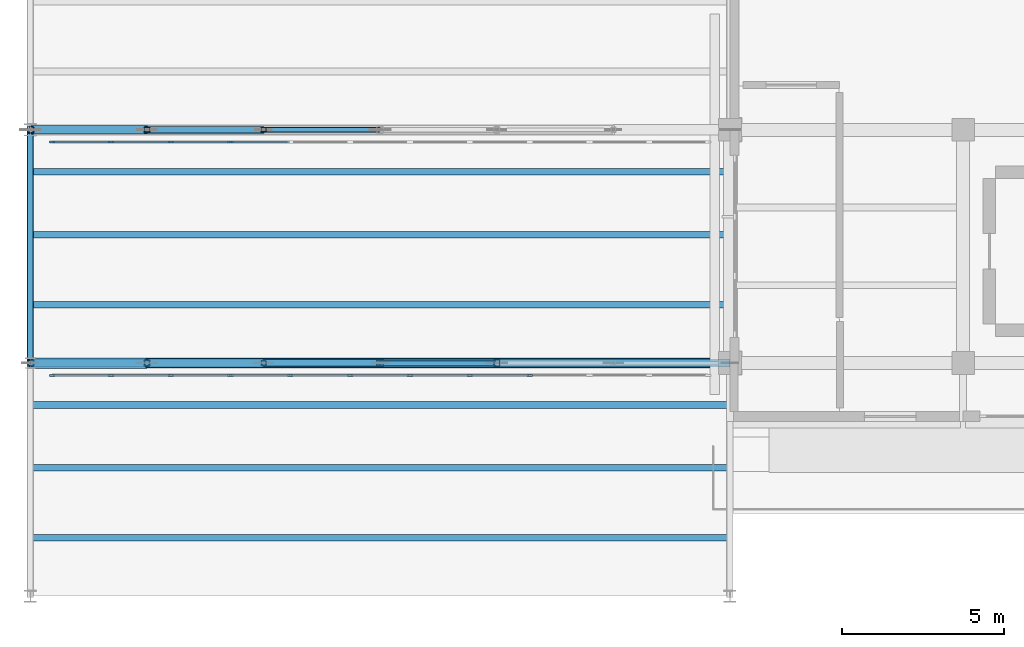
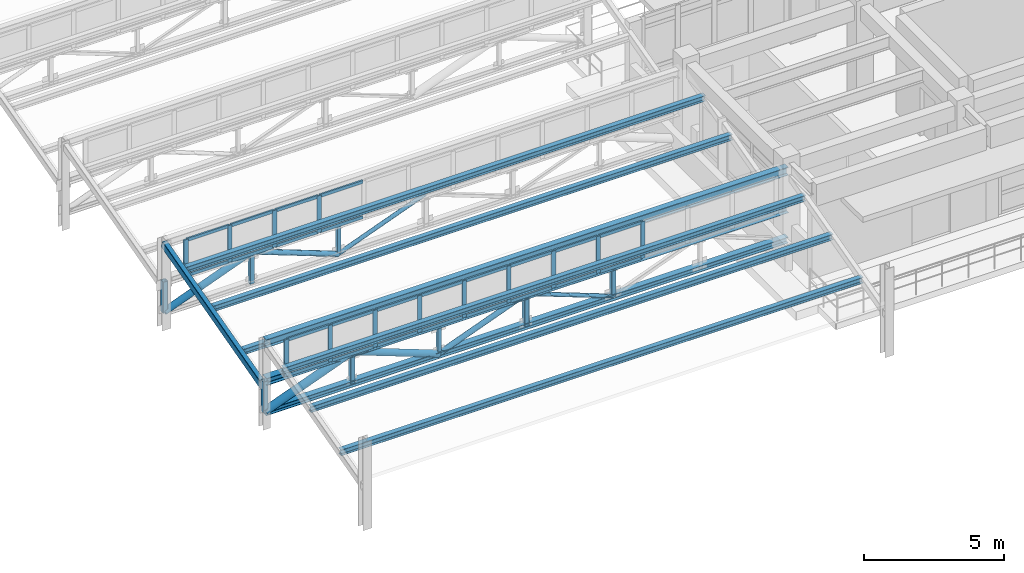
# One storey, part 5 of 55: 54 members, 8 beams, 2 elements without a shape of their own.
"""IFC4 building model written with IfcOpenShell, lengths in metres."""

from ifc_helpers import new_model, si_unit, direction, frame, origin, origin_2d, place, context, subcontext, project, spatial, rectangle, hollow_rectangle, hollow_circle, i_section, extrude, material, layer, layer_set, material_profile, profile_set, type_object, element, aggregate, save


model = new_model("IFC4")

# Units and contexts
model_context = context("Model", 3, precision=1e-05, world=origin(), true_north=direction((0.0, 1.0)))
body_context = subcontext(model_context, "Body", "Model", "MODEL_VIEW")
ifc_project = project(units=[si_unit("LENGTHUNIT", "METRE"), si_unit("AREAUNIT", "SQUARE_METRE"), si_unit("VOLUMEUNIT", "CUBIC_METRE"), si_unit("PLANEANGLEUNIT", "RADIAN"), si_unit("MASSUNIT", "GRAM", prefix="KILO")], contexts=[model_context])

# Site, building, storey
site_placement = place(None, origin())
site = spatial("IfcSite", under=ifc_project, at=site_placement, CompositionType="ELEMENT")
building_placement = place(site_placement, origin())
building = spatial("IfcBuilding", under=site, at=building_placement, Name="Solenvale Faculty of Natural Sciences", CompositionType="ELEMENT")
storey_placement = place(building_placement, frame((0.0, 0.0, 22.5)))
storey = spatial("IfcBuildingStorey", under=building, at=storey_placement, Name="L05", CompositionType="ELEMENT", Elevation=22.5)

# Beams
ifc_material_1 = material(Name="Steel S355", Category="steel")
ifc_material_profile_1 = material_profile(ifc_material_1, i_section(OverallWidth=0.202880859375, OverallDepth=0.251953125, WebThickness=0.008056640625, FlangeThickness=0.013427734375, FilletRadius=0.012939453125, at=origin_2d()), Name="W250x58")
ifc_profile_set_1 = profile_set([ifc_material_profile_1], Name="Steel S355")
beam_type_1 = type_object("IfcBeamType", Name="BM-PRL-W250x58", PredefinedType="JOIST", material=ifc_profile_set_1)
for number, where, z_axis, x_axis, name in (
    (1, (36.0, 16.199951171875, 2.19482421875), (1.0, 0.0, 0.0), (0.0, 1.0, 0.0), "V3 Sawtooth Purlin 1.1.1"),
    (2, (36.0, 18.360107421875, 2.773681640625), (1.0, 0.0, 0.0), (0.0, 1.0, 0.0), "V3 Sawtooth Purlin 1.1.2"),
    (3, (36.0, 20.303955078125, 3.294921875), (1.0, 0.0, 0.0), (0.0, 1.0, 0.0), "V3 Sawtooth Purlin 1.1.3"),
    (4, (36.0, 23.39990234375, 2.19482421875), (1.0, 0.0, 0.0), (0.0, 1.0, 0.0), "V3 Sawtooth Purlin 2.1.1"),
    (5, (36.0, 25.56005859375, 2.773681640625), (1.0, 0.0, 0.0), (0.0, 1.0, 0.0), "V3 Sawtooth Purlin 2.1.2"),
    (6, (36.0, 27.50390625, 3.294921875), (1.0, 0.0, 0.0), (0.0, 1.0, 0.0), "V3 Sawtooth Purlin 2.1.3"),
):
    element("IfcBeam", number, at=place(storey_placement, frame(where, z_axis=z_axis, x_axis=x_axis)), inside=storey, type_object=beam_type_1, Name=name, PredefinedType="JOIST", context=body_context, shape_type="SweptSolid", body=[
        extrude(i_section(OverallWidth=0.202880859375, OverallDepth=0.251953125, WebThickness=0.008056640625, FlangeThickness=0.013427734375, FilletRadius=0.012939453125, at=origin_2d()), origin(), (0.0, 0.0, 1.0), 21.60009765625),
    ])
ifc_material_profile_2 = material_profile(ifc_material_1, hollow_rectangle(XDim=0.202880859375, YDim=0.304931640625, WallThickness=0.0126953125, InnerFilletRadius=0.0126953125, OuterFilletRadius=0.025390625, at=origin_2d()), Name="HSS305x203x13")
ifc_profile_set_2 = profile_set([ifc_material_profile_2], Name="Steel S355")
beam_type_2 = type_object("IfcBeamType", Name="BM-RAF-HSS305", PredefinedType="BEAM", material=ifc_profile_set_2)
beam_1_placement = place(storey_placement, frame((36.0, 21.60009765625, 1.719970703125), z_axis=(0.0, 0.965901991803, 0.258907980238), x_axis=(-1.0, 0.0, 0.0)))
element("IfcBeam", 7, at=beam_1_placement, inside=storey, type_object=beam_type_2, Name="V3 Sawtooth End Rafter 2.1.W", PredefinedType="BEAM", context=body_context, shape_type="SweptSolid", body=[
    extrude(hollow_rectangle(XDim=0.202880859375, YDim=0.304931640625, WallThickness=0.0126953125, InnerFilletRadius=0.0126953125, OuterFilletRadius=0.025390625, at=origin_2d()), origin(), (0.0, 0.0, 1.0), 7.4541015625),
])
ifc_material_profile_3 = material_profile(ifc_material_1, i_section(OverallWidth=0.2548828125, OverallDepth=0.35693359375, WebThickness=0.010498046875, FlangeThickness=0.018310546875, FilletRadius=0.014892578125, at=origin_2d()), Name="W360x101")
ifc_profile_set_3 = profile_set([ifc_material_profile_3], Name="Steel S355")
beam_type_3 = type_object("IfcBeamType", Name="BM-STL-W360x101", PredefinedType="JOIST", material=ifc_profile_set_3)
beam_2_placement = place(storey_placement, frame((36.0, 21.60009765625, 3.705078125), z_axis=(1.0, 0.0, 0.0), x_axis=(0.0, 1.0, 0.0)))
element("IfcBeam", 8, at=beam_2_placement, inside=storey, type_object=beam_type_3, Name="V3 Sawtooth Clerestory Ridge Beam 1.1", PredefinedType="JOIST", context=body_context, shape_type="SweptSolid", body=[
    extrude(i_section(OverallWidth=0.2548828125, OverallDepth=0.35693359375, WebThickness=0.010498046875, FlangeThickness=0.018310546875, FilletRadius=0.014892578125, at=origin_2d()), origin(), (0.0, 0.0, 1.0), 21.60009765625),
])

# Curtain wall, members
ifc_material_2 = material(Name="Anodised bronze aluminium", Category="aluminium")
ifc_layer = layer(ifc_material_2, 0.1650390625)
ifc_layer_set = layer_set([ifc_layer], Name="Anodised bronze aluminium")
curtain_wall_type = type_object("IfcCurtainWallType", Name="CW-SAW-CLR", PredefinedType="USERDEFINED", material=ifc_layer_set)
curtain_wall_1_placement = place(storey_placement, origin())
curtain_wall_1 = element("IfcCurtainWall", 9, at=curtain_wall_1_placement, inside=storey, type_object=curtain_wall_type, Name="L05 Curtain Wall SAW-V3-CW-1-1", ObjectType="NORTH LIGHT CLERESTORY", PredefinedType="USERDEFINED")
ifc_material_profile_4 = material_profile(ifc_material_2, rectangle(XDim=0.06494140625, YDim=0.175048828125, at=origin_2d()), Name="ALU-MUL-65x175")
ifc_profile_set_4 = profile_set([ifc_material_profile_4], Name="Anodised bronze aluminium")
member_type_1 = type_object("IfcMemberType", Name="CWM-ALU-65x175", PredefinedType="MULLION", material=ifc_profile_set_4)
member_1_placement = place(storey_placement, frame((51.418212890625, 21.219970703125, 2.22998046875), z_axis=(0.0, 0.0, 1.0), x_axis=(0.0, -1.0, 0.0)))
member_1 = element("IfcMember", 10, at=member_1_placement, type_object=member_type_1, Name="CW-05 mullion 4", PredefinedType="MULLION", context=body_context, shape_type="SweptSolid", body=[
    extrude(rectangle(XDim=0.06494140625, YDim=0.175048828125, at=origin_2d()), origin(), (0.0, 0.0, 1.0), 1.610107421875),
])
member_2_placement = place(storey_placement, frame((49.57080078125, 21.219970703125, 2.22998046875), z_axis=(0.0, 0.0, 1.0), x_axis=(0.0, -1.0, 0.0)))
member_2 = element("IfcMember", 11, at=member_2_placement, type_object=member_type_1, Name="CW-05 mullion 5", PredefinedType="MULLION", context=body_context, shape_type="SweptSolid", body=[
    extrude(rectangle(XDim=0.06494140625, YDim=0.175048828125, at=origin_2d()), origin(), (0.0, 0.0, 1.0), 1.610107421875),
])
member_3_placement = place(storey_placement, frame((47.7236328125, 21.219970703125, 2.22998046875), z_axis=(0.0, 0.0, 1.0), x_axis=(0.0, -1.0, 0.0)))
member_3 = element("IfcMember", 12, at=member_3_placement, type_object=member_type_1, Name="CW-05 mullion 6", PredefinedType="MULLION", context=body_context, shape_type="SweptSolid", body=[
    extrude(rectangle(XDim=0.06494140625, YDim=0.175048828125, at=origin_2d()), origin(), (0.0, 0.0, 1.0), 1.610107421875),
])
member_4_placement = place(storey_placement, frame((45.87646484375, 21.219970703125, 2.22998046875), z_axis=(0.0, 0.0, 1.0), x_axis=(0.0, -1.0, 0.0)))
member_4 = element("IfcMember", 13, at=member_4_placement, type_object=member_type_1, Name="CW-05 mullion 7", PredefinedType="MULLION", context=body_context, shape_type="SweptSolid", body=[
    extrude(rectangle(XDim=0.06494140625, YDim=0.175048828125, at=origin_2d()), origin(), (0.0, 0.0, 1.0), 1.610107421875),
])
member_5_placement = place(storey_placement, frame((44.029052734375, 21.219970703125, 2.22998046875), z_axis=(0.0, 0.0, 1.0), x_axis=(0.0, -1.0, 0.0)))
member_5 = element("IfcMember", 14, at=member_5_placement, type_object=member_type_1, Name="CW-05 mullion 8", PredefinedType="MULLION", context=body_context, shape_type="SweptSolid", body=[
    extrude(rectangle(XDim=0.06494140625, YDim=0.175048828125, at=origin_2d()), origin(), (0.0, 0.0, 1.0), 1.610107421875),
])
member_6_placement = place(storey_placement, frame((42.181884765625, 21.219970703125, 2.22998046875), z_axis=(0.0, 0.0, 1.0), x_axis=(0.0, -1.0, 0.0)))
member_6 = element("IfcMember", 15, at=member_6_placement, type_object=member_type_1, Name="CW-05 mullion 9", PredefinedType="MULLION", context=body_context, shape_type="SweptSolid", body=[
    extrude(rectangle(XDim=0.06494140625, YDim=0.175048828125, at=origin_2d()), origin(), (0.0, 0.0, 1.0), 1.610107421875),
])
member_7_placement = place(storey_placement, frame((40.33447265625, 21.219970703125, 2.22998046875), z_axis=(0.0, 0.0, 1.0), x_axis=(0.0, -1.0, 0.0)))
member_7 = element("IfcMember", 16, at=member_7_placement, type_object=member_type_1, Name="CW-05 mullion 10", PredefinedType="MULLION", context=body_context, shape_type="SweptSolid", body=[
    extrude(rectangle(XDim=0.06494140625, YDim=0.175048828125, at=origin_2d()), origin(), (0.0, 0.0, 1.0), 1.610107421875),
])
member_8_placement = place(storey_placement, frame((38.4873046875, 21.219970703125, 2.22998046875), z_axis=(0.0, 0.0, 1.0), x_axis=(0.0, -1.0, 0.0)))
member_8 = element("IfcMember", 17, at=member_8_placement, type_object=member_type_1, Name="CW-05 mullion 11", PredefinedType="MULLION", context=body_context, shape_type="SweptSolid", body=[
    extrude(rectangle(XDim=0.06494140625, YDim=0.175048828125, at=origin_2d()), origin(), (0.0, 0.0, 1.0), 1.610107421875),
])
member_9_placement = place(storey_placement, frame((36.672607421875, 21.219970703125, 2.22998046875), z_axis=(0.0, 0.0, 1.0), x_axis=(0.0, -1.0, 0.0)))
member_9 = element("IfcMember", 18, at=member_9_placement, type_object=member_type_1, Name="CW-05 mullion 12", PredefinedType="MULLION", context=body_context, shape_type="SweptSolid", body=[
    extrude(rectangle(XDim=0.06494140625, YDim=0.175048828125, at=origin_2d()), origin(), (0.0, 0.0, 1.0), 1.610107421875),
])

curtain_wall_2_placement = place(storey_placement, origin())
curtain_wall_2 = element("IfcCurtainWall", 19, at=curtain_wall_2_placement, inside=storey, type_object=curtain_wall_type, Name="L05 Curtain Wall SAW-V3-CW-2-1", ObjectType="NORTH LIGHT CLERESTORY", PredefinedType="USERDEFINED")
member_10_placement = place(storey_placement, frame((42.181884765625, 28.419921875, 2.22998046875), z_axis=(0.0, 0.0, 1.0), x_axis=(0.0, -1.0, 0.0)))
member_10 = element("IfcMember", 20, at=member_10_placement, type_object=member_type_1, Name="CW-05 mullion 9", PredefinedType="MULLION", context=body_context, shape_type="SweptSolid", body=[
    extrude(rectangle(XDim=0.06494140625, YDim=0.175048828125, at=origin_2d()), origin(), (0.0, 0.0, 1.0), 1.610107421875),
])
member_11_placement = place(storey_placement, frame((40.33447265625, 28.419921875, 2.22998046875), z_axis=(0.0, 0.0, 1.0), x_axis=(0.0, -1.0, 0.0)))
member_11 = element("IfcMember", 21, at=member_11_placement, type_object=member_type_1, Name="CW-05 mullion 10", PredefinedType="MULLION", context=body_context, shape_type="SweptSolid", body=[
    extrude(rectangle(XDim=0.06494140625, YDim=0.175048828125, at=origin_2d()), origin(), (0.0, 0.0, 1.0), 1.610107421875),
])
member_12_placement = place(storey_placement, frame((38.4873046875, 28.419921875, 2.22998046875), z_axis=(0.0, 0.0, 1.0), x_axis=(0.0, -1.0, 0.0)))
member_12 = element("IfcMember", 22, at=member_12_placement, type_object=member_type_1, Name="CW-05 mullion 11", PredefinedType="MULLION", context=body_context, shape_type="SweptSolid", body=[
    extrude(rectangle(XDim=0.06494140625, YDim=0.175048828125, at=origin_2d()), origin(), (0.0, 0.0, 1.0), 1.610107421875),
])
member_13_placement = place(storey_placement, frame((36.672607421875, 28.419921875, 2.22998046875), z_axis=(0.0, 0.0, 1.0), x_axis=(0.0, -1.0, 0.0)))
member_13 = element("IfcMember", 23, at=member_13_placement, type_object=member_type_1, Name="CW-05 mullion 12", PredefinedType="MULLION", context=body_context, shape_type="SweptSolid", body=[
    extrude(rectangle(XDim=0.06494140625, YDim=0.175048828125, at=origin_2d()), origin(), (0.0, 0.0, 1.0), 1.610107421875),
])

# Member
ifc_material_profile_5 = material_profile(ifc_material_2, rectangle(XDim=0.06494140625, YDim=0.135009765625, at=origin_2d()), Name="ALU-TRN-65x135")
ifc_profile_set_5 = profile_set([ifc_material_profile_5], Name="Anodised bronze aluminium")
member_type_2 = type_object("IfcMemberType", Name="CWT-ALU-65x135", PredefinedType="USERDEFINED", material=ifc_profile_set_5)
member_14_placement = place(storey_placement, frame((51.3857421875, 21.219970703125, 2.262451171875), z_axis=(-1.0, 0.0, 0.0), x_axis=(0.0, -1.0, 0.0)))
member_14 = element("IfcMember", 24, at=member_14_placement, type_object=member_type_2, Name="CW-05 transom 4.1", ObjectType="TRANSOM", PredefinedType="USERDEFINED", context=body_context, shape_type="SweptSolid", body=[
    extrude(rectangle(XDim=0.06494140625, YDim=0.135009765625, at=origin_2d()), origin(), (0.0, 0.0, 1.0), 1.7822265625),
])

member_15_placement = place(storey_placement, frame((51.3857421875, 21.219970703125, 3.8076171875), z_axis=(-1.0, 0.0, 0.0), x_axis=(0.0, -1.0, 0.0)))
member_15 = element("IfcMember", 25, at=member_15_placement, type_object=member_type_2, Name="CW-05 transom 4.2", ObjectType="TRANSOM", PredefinedType="USERDEFINED", context=body_context, shape_type="SweptSolid", body=[
    extrude(rectangle(XDim=0.06494140625, YDim=0.135009765625, at=origin_2d()), origin(), (0.0, 0.0, 1.0), 1.7822265625),
])

member_16_placement = place(storey_placement, frame((49.538330078125, 21.219970703125, 2.262451171875), z_axis=(-1.0, 0.0, 0.0), x_axis=(0.0, -1.0, 0.0)))
member_16 = element("IfcMember", 26, at=member_16_placement, type_object=member_type_2, Name="CW-05 transom 5.1", ObjectType="TRANSOM", PredefinedType="USERDEFINED", context=body_context, shape_type="SweptSolid", body=[
    extrude(rectangle(XDim=0.06494140625, YDim=0.135009765625, at=origin_2d()), origin(), (0.0, 0.0, 1.0), 1.7822265625),
])

member_17_placement = place(storey_placement, frame((49.538330078125, 21.219970703125, 3.8076171875), z_axis=(-1.0, 0.0, 0.0), x_axis=(0.0, -1.0, 0.0)))
member_17 = element("IfcMember", 27, at=member_17_placement, type_object=member_type_2, Name="CW-05 transom 5.2", ObjectType="TRANSOM", PredefinedType="USERDEFINED", context=body_context, shape_type="SweptSolid", body=[
    extrude(rectangle(XDim=0.06494140625, YDim=0.135009765625, at=origin_2d()), origin(), (0.0, 0.0, 1.0), 1.7822265625),
])

member_18_placement = place(storey_placement, frame((47.691162109375, 21.219970703125, 2.262451171875), z_axis=(-1.0, 0.0, 0.0), x_axis=(0.0, -1.0, 0.0)))
member_18 = element("IfcMember", 28, at=member_18_placement, type_object=member_type_2, Name="CW-05 transom 6.1", ObjectType="TRANSOM", PredefinedType="USERDEFINED", context=body_context, shape_type="SweptSolid", body=[
    extrude(rectangle(XDim=0.06494140625, YDim=0.135009765625, at=origin_2d()), origin(), (0.0, 0.0, 1.0), 1.7822265625),
])

member_19_placement = place(storey_placement, frame((47.691162109375, 21.219970703125, 3.8076171875), z_axis=(-1.0, 0.0, 0.0), x_axis=(0.0, -1.0, 0.0)))
member_19 = element("IfcMember", 29, at=member_19_placement, type_object=member_type_2, Name="CW-05 transom 6.2", ObjectType="TRANSOM", PredefinedType="USERDEFINED", context=body_context, shape_type="SweptSolid", body=[
    extrude(rectangle(XDim=0.06494140625, YDim=0.135009765625, at=origin_2d()), origin(), (0.0, 0.0, 1.0), 1.7822265625),
])

member_20_placement = place(storey_placement, frame((45.84375, 21.219970703125, 2.262451171875), z_axis=(-1.0, 0.0, 0.0), x_axis=(0.0, -1.0, 0.0)))
member_20 = element("IfcMember", 30, at=member_20_placement, type_object=member_type_2, Name="CW-05 transom 7.1", ObjectType="TRANSOM", PredefinedType="USERDEFINED", context=body_context, shape_type="SweptSolid", body=[
    extrude(rectangle(XDim=0.06494140625, YDim=0.135009765625, at=origin_2d()), origin(), (0.0, 0.0, 1.0), 1.7822265625),
])

member_21_placement = place(storey_placement, frame((45.84375, 21.219970703125, 3.8076171875), z_axis=(-1.0, 0.0, 0.0), x_axis=(0.0, -1.0, 0.0)))
member_21 = element("IfcMember", 31, at=member_21_placement, type_object=member_type_2, Name="CW-05 transom 7.2", ObjectType="TRANSOM", PredefinedType="USERDEFINED", context=body_context, shape_type="SweptSolid", body=[
    extrude(rectangle(XDim=0.06494140625, YDim=0.135009765625, at=origin_2d()), origin(), (0.0, 0.0, 1.0), 1.7822265625),
])

member_22_placement = place(storey_placement, frame((43.99658203125, 21.219970703125, 2.262451171875), z_axis=(-1.0, 0.0, 0.0), x_axis=(0.0, -1.0, 0.0)))
member_22 = element("IfcMember", 32, at=member_22_placement, type_object=member_type_2, Name="CW-05 transom 8.1", ObjectType="TRANSOM", PredefinedType="USERDEFINED", context=body_context, shape_type="SweptSolid", body=[
    extrude(rectangle(XDim=0.06494140625, YDim=0.135009765625, at=origin_2d()), origin(), (0.0, 0.0, 1.0), 1.7822265625),
])

member_23_placement = place(storey_placement, frame((43.99658203125, 21.219970703125, 3.8076171875), z_axis=(-1.0, 0.0, 0.0), x_axis=(0.0, -1.0, 0.0)))
member_23 = element("IfcMember", 33, at=member_23_placement, type_object=member_type_2, Name="CW-05 transom 8.2", ObjectType="TRANSOM", PredefinedType="USERDEFINED", context=body_context, shape_type="SweptSolid", body=[
    extrude(rectangle(XDim=0.06494140625, YDim=0.135009765625, at=origin_2d()), origin(), (0.0, 0.0, 1.0), 1.7822265625),
])

member_24_placement = place(storey_placement, frame((42.1494140625, 21.219970703125, 2.262451171875), z_axis=(-1.0, 0.0, 0.0), x_axis=(0.0, -1.0, 0.0)))
member_24 = element("IfcMember", 34, at=member_24_placement, type_object=member_type_2, Name="CW-05 transom 9.1", ObjectType="TRANSOM", PredefinedType="USERDEFINED", context=body_context, shape_type="SweptSolid", body=[
    extrude(rectangle(XDim=0.06494140625, YDim=0.135009765625, at=origin_2d()), origin(), (0.0, 0.0, 1.0), 1.782470703125),
])

member_25_placement = place(storey_placement, frame((42.1494140625, 21.219970703125, 3.8076171875), z_axis=(-1.0, 0.0, 0.0), x_axis=(0.0, -1.0, 0.0)))
member_25 = element("IfcMember", 35, at=member_25_placement, type_object=member_type_2, Name="CW-05 transom 9.2", ObjectType="TRANSOM", PredefinedType="USERDEFINED", context=body_context, shape_type="SweptSolid", body=[
    extrude(rectangle(XDim=0.06494140625, YDim=0.135009765625, at=origin_2d()), origin(), (0.0, 0.0, 1.0), 1.782470703125),
])

member_26_placement = place(storey_placement, frame((40.302001953125, 21.219970703125, 2.262451171875), z_axis=(-1.0, 0.0, 0.0), x_axis=(0.0, -1.0, 0.0)))
member_26 = element("IfcMember", 36, at=member_26_placement, type_object=member_type_2, Name="CW-05 transom 10.1", ObjectType="TRANSOM", PredefinedType="USERDEFINED", context=body_context, shape_type="SweptSolid", body=[
    extrude(rectangle(XDim=0.06494140625, YDim=0.135009765625, at=origin_2d()), origin(), (0.0, 0.0, 1.0), 1.7822265625),
])

member_27_placement = place(storey_placement, frame((40.302001953125, 21.219970703125, 3.8076171875), z_axis=(-1.0, 0.0, 0.0), x_axis=(0.0, -1.0, 0.0)))
member_27 = element("IfcMember", 37, at=member_27_placement, type_object=member_type_2, Name="CW-05 transom 10.2", ObjectType="TRANSOM", PredefinedType="USERDEFINED", context=body_context, shape_type="SweptSolid", body=[
    extrude(rectangle(XDim=0.06494140625, YDim=0.135009765625, at=origin_2d()), origin(), (0.0, 0.0, 1.0), 1.7822265625),
])

member_28_placement = place(storey_placement, frame((38.454833984375, 21.219970703125, 2.262451171875), z_axis=(-1.0, 0.0, 0.0), x_axis=(0.0, -1.0, 0.0)))
member_28 = element("IfcMember", 38, at=member_28_placement, type_object=member_type_2, Name="CW-05 transom 11.1", ObjectType="TRANSOM", PredefinedType="USERDEFINED", context=body_context, shape_type="SweptSolid", body=[
    extrude(rectangle(XDim=0.06494140625, YDim=0.135009765625, at=origin_2d()), origin(), (0.0, 0.0, 1.0), 1.749755859375),
])

member_29_placement = place(storey_placement, frame((38.454833984375, 21.219970703125, 3.8076171875), z_axis=(-1.0, 0.0, 0.0), x_axis=(0.0, -1.0, 0.0)))
member_29 = element("IfcMember", 39, at=member_29_placement, type_object=member_type_2, Name="CW-05 transom 11.2", ObjectType="TRANSOM", PredefinedType="USERDEFINED", context=body_context, shape_type="SweptSolid", body=[
    extrude(rectangle(XDim=0.06494140625, YDim=0.135009765625, at=origin_2d()), origin(), (0.0, 0.0, 1.0), 1.749755859375),
])

aggregate(curtain_wall_1, [member_1, member_2, member_3, member_4, member_5, member_6, member_7, member_8, member_9, member_14, member_15, member_16, member_17, member_18, member_19, member_20, member_21, member_22, member_23, member_24, member_25, member_26, member_27, member_28, member_29])

member_30_placement = place(storey_placement, frame((43.99658203125, 28.419921875, 2.262451171875), z_axis=(-1.0, 0.0, 0.0), x_axis=(0.0, -1.0, 0.0)))
member_30 = element("IfcMember", 40, at=member_30_placement, type_object=member_type_2, Name="CW-05 transom 8.1", ObjectType="TRANSOM", PredefinedType="USERDEFINED", context=body_context, shape_type="SweptSolid", body=[
    extrude(rectangle(XDim=0.06494140625, YDim=0.135009765625, at=origin_2d()), origin(), (0.0, 0.0, 1.0), 1.7822265625),
])

member_31_placement = place(storey_placement, frame((43.99658203125, 28.419921875, 3.8076171875), z_axis=(-1.0, 0.0, 0.0), x_axis=(0.0, -1.0, 0.0)))
member_31 = element("IfcMember", 41, at=member_31_placement, type_object=member_type_2, Name="CW-05 transom 8.2", ObjectType="TRANSOM", PredefinedType="USERDEFINED", context=body_context, shape_type="SweptSolid", body=[
    extrude(rectangle(XDim=0.06494140625, YDim=0.135009765625, at=origin_2d()), origin(), (0.0, 0.0, 1.0), 1.7822265625),
])

member_32_placement = place(storey_placement, frame((42.1494140625, 28.419921875, 2.262451171875), z_axis=(-1.0, 0.0, 0.0), x_axis=(0.0, -1.0, 0.0)))
member_32 = element("IfcMember", 42, at=member_32_placement, type_object=member_type_2, Name="CW-05 transom 9.1", ObjectType="TRANSOM", PredefinedType="USERDEFINED", context=body_context, shape_type="SweptSolid", body=[
    extrude(rectangle(XDim=0.06494140625, YDim=0.135009765625, at=origin_2d()), origin(), (0.0, 0.0, 1.0), 1.782470703125),
])

member_33_placement = place(storey_placement, frame((42.1494140625, 28.419921875, 3.8076171875), z_axis=(-1.0, 0.0, 0.0), x_axis=(0.0, -1.0, 0.0)))
member_33 = element("IfcMember", 43, at=member_33_placement, type_object=member_type_2, Name="CW-05 transom 9.2", ObjectType="TRANSOM", PredefinedType="USERDEFINED", context=body_context, shape_type="SweptSolid", body=[
    extrude(rectangle(XDim=0.06494140625, YDim=0.135009765625, at=origin_2d()), origin(), (0.0, 0.0, 1.0), 1.782470703125),
])

member_34_placement = place(storey_placement, frame((40.302001953125, 28.419921875, 2.262451171875), z_axis=(-1.0, 0.0, 0.0), x_axis=(0.0, -1.0, 0.0)))
member_34 = element("IfcMember", 44, at=member_34_placement, type_object=member_type_2, Name="CW-05 transom 10.1", ObjectType="TRANSOM", PredefinedType="USERDEFINED", context=body_context, shape_type="SweptSolid", body=[
    extrude(rectangle(XDim=0.06494140625, YDim=0.135009765625, at=origin_2d()), origin(), (0.0, 0.0, 1.0), 1.7822265625),
])

member_35_placement = place(storey_placement, frame((40.302001953125, 28.419921875, 3.8076171875), z_axis=(-1.0, 0.0, 0.0), x_axis=(0.0, -1.0, 0.0)))
member_35 = element("IfcMember", 45, at=member_35_placement, type_object=member_type_2, Name="CW-05 transom 10.2", ObjectType="TRANSOM", PredefinedType="USERDEFINED", context=body_context, shape_type="SweptSolid", body=[
    extrude(rectangle(XDim=0.06494140625, YDim=0.135009765625, at=origin_2d()), origin(), (0.0, 0.0, 1.0), 1.7822265625),
])

member_36_placement = place(storey_placement, frame((38.454833984375, 28.419921875, 2.262451171875), z_axis=(-1.0, 0.0, 0.0), x_axis=(0.0, -1.0, 0.0)))
member_36 = element("IfcMember", 46, at=member_36_placement, type_object=member_type_2, Name="CW-05 transom 11.1", ObjectType="TRANSOM", PredefinedType="USERDEFINED", context=body_context, shape_type="SweptSolid", body=[
    extrude(rectangle(XDim=0.06494140625, YDim=0.135009765625, at=origin_2d()), origin(), (0.0, 0.0, 1.0), 1.749755859375),
])

member_37_placement = place(storey_placement, frame((38.454833984375, 28.419921875, 3.8076171875), z_axis=(-1.0, 0.0, 0.0), x_axis=(0.0, -1.0, 0.0)))
member_37 = element("IfcMember", 47, at=member_37_placement, type_object=member_type_2, Name="CW-05 transom 11.2", ObjectType="TRANSOM", PredefinedType="USERDEFINED", context=body_context, shape_type="SweptSolid", body=[
    extrude(rectangle(XDim=0.06494140625, YDim=0.135009765625, at=origin_2d()), origin(), (0.0, 0.0, 1.0), 1.749755859375),
])

aggregate(curtain_wall_2, [member_10, member_11, member_12, member_13, member_30, member_31, member_32, member_33, member_34, member_35, member_36, member_37])

# Members
ifc_material_profile_6 = material_profile(ifc_material_1, hollow_circle(Radius=0.084228515625, WallThickness=0.008056640625, at=origin_2d()), Name="HSS168x8.0")
ifc_profile_set_6 = profile_set([ifc_material_profile_6], Name="Steel S355")
member_type_3 = type_object("IfcMemberType", Name="MB-BRC-CHS168", PredefinedType="BRACE", material=ifc_profile_set_6)
member_38_placement = place(storey_placement, frame((46.800048828125, 21.60009765625, 2.050048828125), z_axis=(0.935458110384, 0.0, -0.353437581075), x_axis=(0.0, 1.0, 0.0)))
element("IfcMember", 48, at=member_38_placement, inside=storey, type_object=member_type_3, Name="V3 Truss 1.1 Diagonal 4", PredefinedType="BRACE", context=body_context, shape_type="SweptSolid", body=[
    extrude(hollow_circle(Radius=0.084228515625, WallThickness=0.008056640625, at=origin_2d()), origin(), (0.0, 0.0, 1.0), 3.84814453125),
])
member_39_placement = place(storey_placement, frame((43.199951171875, 28.800048828125, 0.68994140625), z_axis=(0.935466034784, 0.0, 0.353416606522), x_axis=(0.0, 1.0, 0.0)))
element("IfcMember", 49, at=member_39_placement, inside=storey, type_object=member_type_3, Name="V3 Truss 2.1 Diagonal 3", PredefinedType="BRACE", context=body_context, shape_type="SweptSolid", body=[
    extrude(hollow_circle(Radius=0.084228515625, WallThickness=0.008056640625, at=origin_2d()), origin(), (0.0, 0.0, 1.0), 3.848388671875),
])
ifc_material_profile_7 = material_profile(ifc_material_1, hollow_circle(Radius=0.109619140625, WallThickness=0.009521484375, at=origin_2d()), Name="HSS219x9.5")
ifc_profile_set_7 = profile_set([ifc_material_profile_7], Name="Steel S355")
member_type_4 = type_object("IfcMemberType", Name="MB-BRC-CHS219", PredefinedType="BRACE", material=ifc_profile_set_7)
member_40_placement = place(storey_placement, frame((43.199951171875, 21.60009765625, 0.68994140625), z_axis=(0.935466034784, 0.0, 0.353416606522), x_axis=(0.0, 1.0, 0.0)))
element("IfcMember", 50, at=member_40_placement, inside=storey, type_object=member_type_4, Name="V3 Truss 1.1 Diagonal 3", PredefinedType="BRACE", context=body_context, shape_type="SweptSolid", body=[
    extrude(hollow_circle(Radius=0.109619140625, WallThickness=0.009521484375, at=origin_2d()), origin(), (0.0, 0.0, 1.0), 3.848388671875),
])
member_41_placement = place(storey_placement, frame((39.60009765625, 28.800048828125, 2.050048828125), z_axis=(0.935458110384, 0.0, -0.353437581075), x_axis=(0.0, 1.0, 0.0)))
element("IfcMember", 51, at=member_41_placement, inside=storey, type_object=member_type_4, Name="V3 Truss 2.1 Diagonal 2", PredefinedType="BRACE", context=body_context, shape_type="SweptSolid", body=[
    extrude(hollow_circle(Radius=0.109619140625, WallThickness=0.009521484375, at=origin_2d()), origin(), (0.0, 0.0, 1.0), 3.84814453125),
])
ifc_material_profile_8 = material_profile(ifc_material_1, hollow_circle(Radius=0.136474609375, WallThickness=0.010986328125, at=origin_2d()), Name="HSS273x11")
ifc_profile_set_8 = profile_set([ifc_material_profile_8], Name="Steel S355")
member_type_5 = type_object("IfcMemberType", Name="MB-BRC-CHS273", PredefinedType="BRACE", material=ifc_profile_set_8)
member_42_placement = place(storey_placement, frame((39.60009765625, 21.60009765625, 2.050048828125), z_axis=(0.935458110384, 0.0, -0.353437581075), x_axis=(0.0, 1.0, 0.0)))
element("IfcMember", 52, at=member_42_placement, inside=storey, type_object=member_type_5, Name="V3 Truss 1.1 Diagonal 2", PredefinedType="BRACE", context=body_context, shape_type="SweptSolid", body=[
    extrude(hollow_circle(Radius=0.136474609375, WallThickness=0.010986328125, at=origin_2d()), origin(), (0.0, 0.0, 1.0), 3.84814453125),
])
member_43_placement = place(storey_placement, frame((36.0, 28.800048828125, 0.68994140625), z_axis=(0.935466034784, 0.0, 0.353416606522), x_axis=(0.0, 1.0, 0.0)))
element("IfcMember", 53, at=member_43_placement, inside=storey, type_object=member_type_5, Name="V3 Truss 2.1 Diagonal 1", PredefinedType="BRACE", context=body_context, shape_type="SweptSolid", body=[
    extrude(hollow_circle(Radius=0.136474609375, WallThickness=0.010986328125, at=origin_2d()), origin(), (0.0, 0.0, 1.0), 3.848388671875),
])
ifc_material_profile_9 = material_profile(ifc_material_1, hollow_circle(Radius=0.161865234375, WallThickness=0.0126953125, at=origin_2d()), Name="HSS324x13")
ifc_profile_set_9 = profile_set([ifc_material_profile_9], Name="Steel S355")
member_type_6 = type_object("IfcMemberType", Name="MB-BRC-CHS324", PredefinedType="BRACE", material=ifc_profile_set_9)
member_44_placement = place(storey_placement, frame((36.0, 21.60009765625, 0.68994140625), z_axis=(0.935466034784, 0.0, 0.353416606522), x_axis=(0.0, 1.0, 0.0)))
element("IfcMember", 54, at=member_44_placement, inside=storey, type_object=member_type_6, Name="V3 Truss 1.1 Diagonal 1", PredefinedType="BRACE", context=body_context, shape_type="SweptSolid", body=[
    extrude(hollow_circle(Radius=0.161865234375, WallThickness=0.0126953125, at=origin_2d()), origin(), (0.0, 0.0, 1.0), 3.848388671875),
])
ifc_material_profile_10 = material_profile(ifc_material_1, i_section(OverallWidth=0.256103515625, OverallDepth=0.260009765625, WebThickness=0.0107421875, FlangeThickness=0.017333984375, FilletRadius=0.012939453125, at=origin_2d()), Name="W250x89")
ifc_profile_set_10 = profile_set([ifc_material_profile_10], Name="Steel S355")
member_type_7 = type_object("IfcMemberType", Name="MB-CHD-W250x89", PredefinedType="CHORD", material=ifc_profile_set_10)
member_45_placement = place(storey_placement, frame((36.0, 21.60009765625, 0.68994140625), z_axis=(1.0, 0.0, 0.0), x_axis=(0.0, 1.0, 0.0)))
element("IfcMember", 55, at=member_45_placement, inside=storey, type_object=member_type_7, Name="V3 Truss 1.1 Bottom Chord", PredefinedType="CHORD", context=body_context, shape_type="SweptSolid", body=[
    extrude(i_section(OverallWidth=0.256103515625, OverallDepth=0.260009765625, WebThickness=0.0107421875, FlangeThickness=0.017333984375, FilletRadius=0.012939453125, at=origin_2d()), origin(), (0.0, 0.0, 1.0), 21.60009765625),
])
ifc_material_profile_11 = material_profile(ifc_material_1, i_section(OverallWidth=0.304931640625, OverallDepth=0.30810546875, WebThickness=0.010009765625, FlangeThickness=0.015380859375, FilletRadius=0.014892578125, at=origin_2d()), Name="W310x97")
ifc_profile_set_11 = profile_set([ifc_material_profile_11], Name="Steel S355")
member_type_8 = type_object("IfcMemberType", Name="MB-CHD-W310x97", PredefinedType="CHORD", material=ifc_profile_set_11)
member_46_placement = place(storey_placement, frame((36.0, 21.60009765625, 2.050048828125), z_axis=(1.0, 0.0, 0.0), x_axis=(0.0, 1.0, 0.0)))
element("IfcMember", 56, at=member_46_placement, inside=storey, type_object=member_type_8, Name="V3 Truss 1.1 Top Chord", PredefinedType="CHORD", context=body_context, shape_type="SweptSolid", body=[
    extrude(i_section(OverallWidth=0.304931640625, OverallDepth=0.30810546875, WebThickness=0.010009765625, FlangeThickness=0.015380859375, FilletRadius=0.014892578125, at=origin_2d()), origin(), (0.0, 0.0, 1.0), 21.60009765625),
])
ifc_material_profile_12 = material_profile(ifc_material_1, hollow_rectangle(XDim=0.152099609375, YDim=0.152099609375, WallThickness=0.009521484375, InnerFilletRadius=0.009521484375, OuterFilletRadius=0.01904296875, at=origin_2d()), Name="HSS152x152x9.5")
ifc_profile_set_12 = profile_set([ifc_material_profile_12], Name="Steel S355")
member_type_9 = type_object("IfcMemberType", Name="MB-STR-HSS152", PredefinedType="STRUT", material=ifc_profile_set_12)
for number, where, z_axis, x_axis, name in (
    (57, (43.199951171875, 21.60009765625, 0.68994140625), (0.0, 0.0, 1.0), (1.0, 0.0, 0.0), "V3 Truss 1.1 Strut 2"),
    (58, (43.199951171875, 28.800048828125, 0.68994140625), (0.0, 0.0, 1.0), (1.0, 0.0, 0.0), "V3 Truss 2.1 Strut 2"),
):
    element("IfcMember", number, at=place(storey_placement, frame(where, z_axis=z_axis, x_axis=x_axis)), inside=storey, type_object=member_type_9, Name=name, PredefinedType="STRUT", context=body_context, shape_type="SweptSolid", body=[
        extrude(hollow_rectangle(XDim=0.152099609375, YDim=0.152099609375, WallThickness=0.009521484375, InnerFilletRadius=0.009521484375, OuterFilletRadius=0.01904296875, at=origin_2d()), origin(), (0.0, 0.0, 1.0), 1.360107421875),
    ])
ifc_material_profile_13 = material_profile(ifc_material_1, hollow_rectangle(XDim=0.177978515625, YDim=0.177978515625, WallThickness=0.009521484375, InnerFilletRadius=0.009521484375, OuterFilletRadius=0.01904296875, at=origin_2d()), Name="HSS178x178x9.5")
ifc_profile_set_13 = profile_set([ifc_material_profile_13], Name="Steel S355")
member_type_10 = type_object("IfcMemberType", Name="MB-STR-HSS178", PredefinedType="STRUT", material=ifc_profile_set_13)
for number, where, z_axis, x_axis, name in (
    (59, (39.60009765625, 21.60009765625, 0.68994140625), (0.0, 0.0, 1.0), (1.0, 0.0, 0.0), "V3 Truss 1.1 Strut 1"),
    (60, (50.39990234375, 21.60009765625, 0.68994140625), (0.0, 0.0, 1.0), (1.0, 0.0, 0.0), "V3 Truss 1.1 Strut 4"),
    (61, (39.60009765625, 28.800048828125, 0.68994140625), (0.0, 0.0, 1.0), (1.0, 0.0, 0.0), "V3 Truss 2.1 Strut 1"),
):
    element("IfcMember", number, at=place(storey_placement, frame(where, z_axis=z_axis, x_axis=x_axis)), inside=storey, type_object=member_type_10, Name=name, PredefinedType="STRUT", context=body_context, shape_type="SweptSolid", body=[
        extrude(hollow_rectangle(XDim=0.177978515625, YDim=0.177978515625, WallThickness=0.009521484375, InnerFilletRadius=0.009521484375, OuterFilletRadius=0.01904296875, at=origin_2d()), origin(), (0.0, 0.0, 1.0), 1.360107421875),
    ])
ifc_material_profile_14 = material_profile(ifc_material_1, hollow_rectangle(XDim=0.202880859375, YDim=0.202880859375, WallThickness=0.0126953125, InnerFilletRadius=0.0126953125, OuterFilletRadius=0.025390625, at=origin_2d()), Name="HSS203x203x13")
ifc_profile_set_14 = profile_set([ifc_material_profile_14], Name="Steel S355")
member_type_11 = type_object("IfcMemberType", Name="MB-STR-HSS203", PredefinedType="STRUT", material=ifc_profile_set_14)
for number, where, z_axis, x_axis, name in (
    (62, (36.0, 21.60009765625, 0.68994140625), (0.0, 0.0, 1.0), (1.0, 0.0, 0.0), "V3 Truss 1.1 Strut 0"),
    (63, (46.800048828125, 21.60009765625, 0.68994140625), (0.0, 0.0, 1.0), (1.0, 0.0, 0.0), "V3 Truss 1.1 Strut 3"),
    (64, (36.0, 28.800048828125, 0.68994140625), (0.0, 0.0, 1.0), (1.0, 0.0, 0.0), "V3 Truss 2.1 Strut 0"),
):
    element("IfcMember", number, at=place(storey_placement, frame(where, z_axis=z_axis, x_axis=x_axis)), inside=storey, type_object=member_type_11, Name=name, PredefinedType="STRUT", context=body_context, shape_type="SweptSolid", body=[
        extrude(hollow_rectangle(XDim=0.202880859375, YDim=0.202880859375, WallThickness=0.0126953125, InnerFilletRadius=0.0126953125, OuterFilletRadius=0.025390625, at=origin_2d()), origin(), (0.0, 0.0, 1.0), 1.360107421875),
    ])

save(model, "model.ifc")
